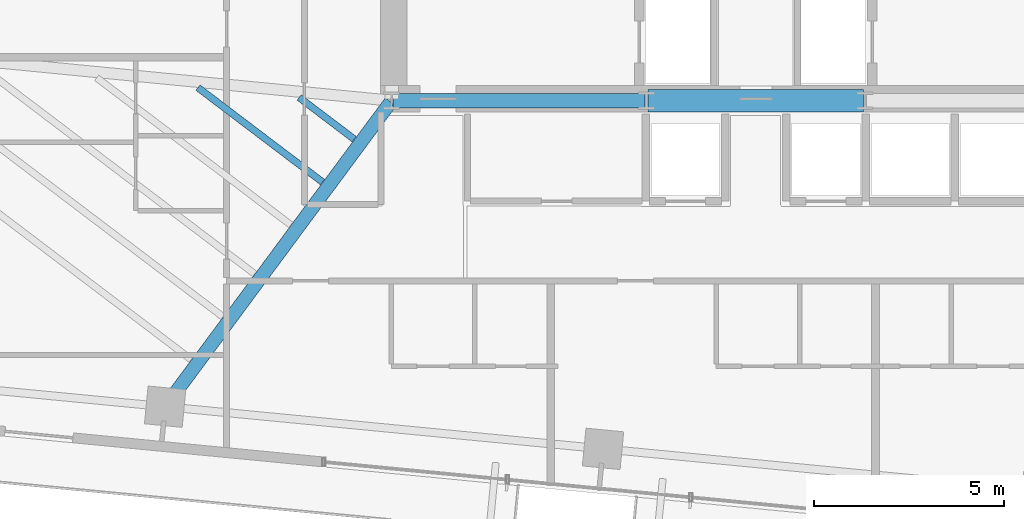
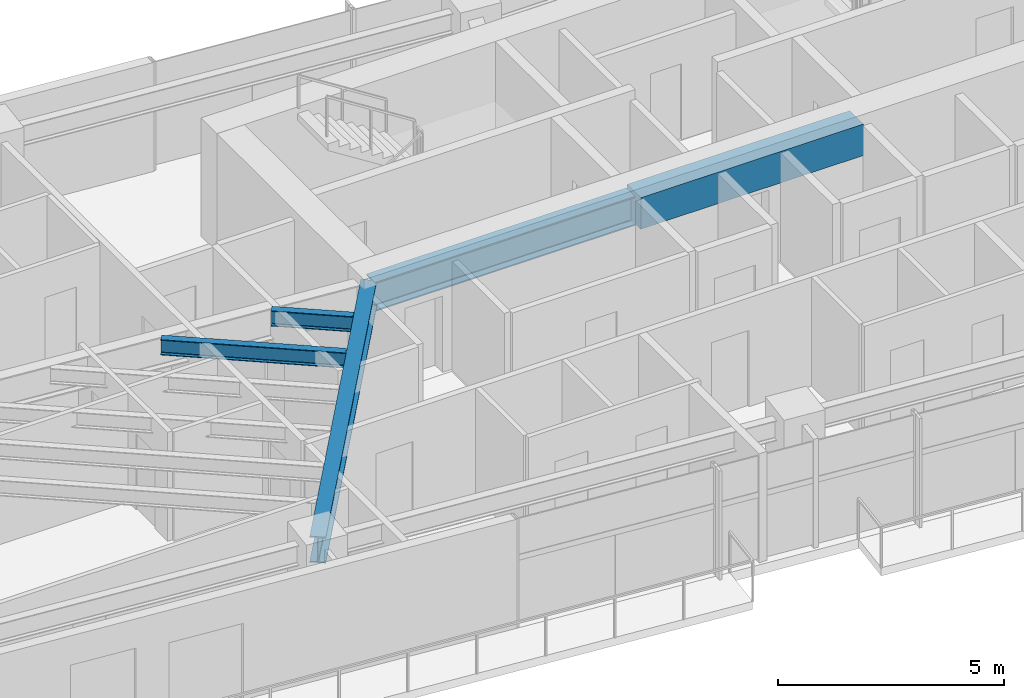
# One storey, part 5 of 20: 5 beams.
"""IFC4 building model written with IfcOpenShell, lengths in metres."""

from ifc_helpers import new_model, si_unit, direction, frame, origin, origin_2d, place, context, subcontext, project, spatial, rectangle, i_section, extrude, source, transform, mapped, material, material_profile, profile_set, type_object, type_shapes, element, save


model = new_model("IFC4")

# Units and contexts
model_context = context("Model", 3, precision=1e-05, world=origin(), true_north=direction((0.0, 1.0)))
body_context = subcontext(model_context, "Body", "Model", "MODEL_VIEW")
ifc_project = project(units=[si_unit("LENGTHUNIT", "METRE"), si_unit("AREAUNIT", "SQUARE_METRE"), si_unit("VOLUMEUNIT", "CUBIC_METRE"), si_unit("PLANEANGLEUNIT", "RADIAN"), si_unit("MASSUNIT", "GRAM", prefix="KILO")], contexts=[model_context])

# Site, building, storey
site_placement = place(None, origin())
site = spatial("IfcSite", under=ifc_project, at=site_placement, CompositionType="ELEMENT")
building_placement = place(site_placement, origin())
building = spatial("IfcBuilding", under=site, at=building_placement, Name="Astriad Promenade Condominiums", CompositionType="ELEMENT")
storey_placement = place(building_placement, frame((0.0, 0.0, 156.60009765625)))
storey = spatial("IfcBuildingStorey", under=building, at=storey_placement, Name="L45", CompositionType="ELEMENT", Elevation=156.60009765625)

# Beams
ifc_material_1 = material(Name="Steel ASTM A992 Grade 50", Category="steel")
ifc_material_profile_1 = material_profile(ifc_material_1, i_section(OverallWidth=0.3837890625, OverallDepth=0.785888671875, WebThickness=0.019775390625, FlangeThickness=0.033447265625, FilletRadius=0.021484375, at=origin_2d()), Name="W30X211")
ifc_profile_set_1 = profile_set([ifc_material_profile_1], Name="Steel ASTM A992 Grade 50")
beam_type_1 = type_object("IfcBeamType", Name="STEEL FLOOR GIRDER W30X211", PredefinedType="BEAM", material=ifc_profile_set_1)
shared_shape_1 = source(origin(), body_context, "Body", "SweptSolid", [
    extrude(i_section(OverallWidth=0.3837890625, OverallDepth=0.785888671875, WebThickness=0.019775390625, FlangeThickness=0.033447265625, FilletRadius=0.021484375, at=origin_2d()), origin(), (0.0, 0.0, 1.0), 6.64013671875),
])
type_shapes(beam_type_1, [shared_shape_1])
beam_1_placement = place(storey_placement, frame((26.43994140625, 17.39990234375, 2.546875), z_axis=(1.0, 0.0, 0.0), x_axis=(0.0, 1.0, 0.0)))
element("IfcBeam", 1, at=beam_1_placement, inside=storey, type_object=beam_type_1, Name="Core Ring Beam CG-S1-L45", PredefinedType="BEAM", context=body_context, shape_type="MappedRepresentation", body=[
    mapped(shared_shape_1, transform((0.0, 0.0, 0.0), scale=1.0)),
])
ifc_material_profile_2 = material_profile(ifc_material_1, i_section(OverallWidth=0.35791015625, OverallDepth=0.706298828125, WebThickness=0.018310546875, FlangeThickness=0.0302734375, FilletRadius=0.020263671875, at=origin_2d()), Name="W27X178")
ifc_profile_set_2 = profile_set([ifc_material_profile_2], Name="Steel ASTM A992 Grade 50")
beam_type_2 = type_object("IfcBeamType", Name="STEEL FLOOR GIRDER W27X178", PredefinedType="BEAM", material=ifc_profile_set_2)
shared_shape_2 = source(origin(), body_context, "Body", "SweptSolid", [
    extrude(i_section(OverallWidth=0.35791015625, OverallDepth=0.706298828125, WebThickness=0.018310546875, FlangeThickness=0.0302734375, FilletRadius=0.020263671875, at=origin_2d()), origin(), (0.0, 0.0, 1.0), 9.958984375),
])
type_shapes(beam_type_2, [shared_shape_2])
beam_2_placement = place(storey_placement, frame((20.450927734375, 9.363525390625, 2.586669921875), z_axis=(0.59497542442, 0.803743892255, 0.0), x_axis=(-0.803743892255, 0.59497542442, 0.0)))
element("IfcBeam", 2, at=beam_2_placement, inside=storey, type_object=beam_type_2, Name="Primary Floor Girder PG-W2-L45", PredefinedType="BEAM", context=body_context, shape_type="MappedRepresentation", body=[
    mapped(shared_shape_2, transform((0.0, 0.0, 0.0), scale=1.0)),
])
ifc_material_profile_3 = material_profile(ifc_material_1, i_section(OverallWidth=0.180908203125, OverallDepth=0.417236328125, WebThickness=0.010986328125, FlangeThickness=0.018310546875, FilletRadius=0.013916015625, at=origin_2d()), Name="W16X57")
ifc_profile_set_3 = profile_set([ifc_material_profile_3], Name="Steel ASTM A992 Grade 50")
beam_type_3 = type_object("IfcBeamType", Name="STEEL FLOOR JOIST W16X57", PredefinedType="JOIST", material=ifc_profile_set_3)
shared_shape_3 = source(origin(), body_context, "Body", "SweptSolid", [
    extrude(i_section(OverallWidth=0.180908203125, OverallDepth=0.417236328125, WebThickness=0.010986328125, FlangeThickness=0.018310546875, FilletRadius=0.013916015625, at=origin_2d()), origin(), (0.0, 0.0, 1.0), 4.12109375),
])
beam_3_placement = place(storey_placement, frame((21.292724609375, 17.744140625, 2.731201171875), z_axis=(0.796968568798, -0.604020778077, 0.0), x_axis=(0.604020778077, 0.796968568798, 0.0)))
element("IfcBeam", 3, at=beam_3_placement, inside=storey, type_object=beam_type_3, Name="Secondary Composite Floor Joist JW1-5-L45", PredefinedType="JOIST", context=body_context, shape_type="MappedRepresentation", body=[
    mapped(shared_shape_3, transform((0.0, 0.0, 0.0), scale=1.0)),
])
shared_shape_4 = source(origin(), body_context, "Body", "SweptSolid", [
    extrude(i_section(OverallWidth=0.180908203125, OverallDepth=0.417236328125, WebThickness=0.010986328125, FlangeThickness=0.018310546875, FilletRadius=0.013916015625, at=origin_2d()), origin(), (0.0, 0.0, 1.0), 1.82177734375),
])
type_shapes(beam_type_3, [shared_shape_3, shared_shape_4])
beam_4_placement = place(storey_placement, frame((23.96142578125, 17.48486328125, 2.731201171875), z_axis=(0.796982671853, -0.604002169504, 0.0), x_axis=(0.604002169504, 0.796982671853, 0.0)))
element("IfcBeam", 4, at=beam_4_placement, inside=storey, type_object=beam_type_3, Name="Secondary Composite Floor Joist JW1-6-L45", PredefinedType="JOIST", context=body_context, shape_type="MappedRepresentation", body=[
    mapped(shared_shape_4, transform((0.0, 0.0, 0.0), scale=1.0)),
])
ifc_material_2 = material(Name="Concrete C60/75", Category="concrete")
ifc_material_profile_4 = material_profile(ifc_material_2, rectangle(XDim=0.60009765625, YDim=0.85009765625, at=origin_2d()), Name="RC-BM-600X850")
ifc_profile_set_4 = profile_set([ifc_material_profile_4], Name="Concrete C60/75")
beam_type_4 = type_object("IfcBeamType", Name="CONCRETE CORE COUPLING LINTEL 600X850", PredefinedType="LINTEL", material=ifc_profile_set_4)
shared_shape_5 = source(origin(), body_context, "Body", "SweptSolid", [
    extrude(rectangle(XDim=0.60009765625, YDim=0.85009765625, at=origin_2d()), origin(), (0.0, 0.0, 1.0), 5.68017578125),
])
type_shapes(beam_type_4, [shared_shape_5])
beam_5_placement = place(storey_placement, frame((33.159912109375, 17.39990234375, 2.514892578125), z_axis=(1.0, 0.0, 0.0), x_axis=(0.0, 1.0, 0.0)))
element("IfcBeam", 5, at=beam_5_placement, inside=storey, type_object=beam_type_4, Name="Core Ring Beam CG-S2-L45", PredefinedType="LINTEL", context=body_context, shape_type="MappedRepresentation", body=[
    mapped(shared_shape_5, transform((0.0, 0.0, 0.0), scale=1.0)),
])

save(model, "model.ifc")
